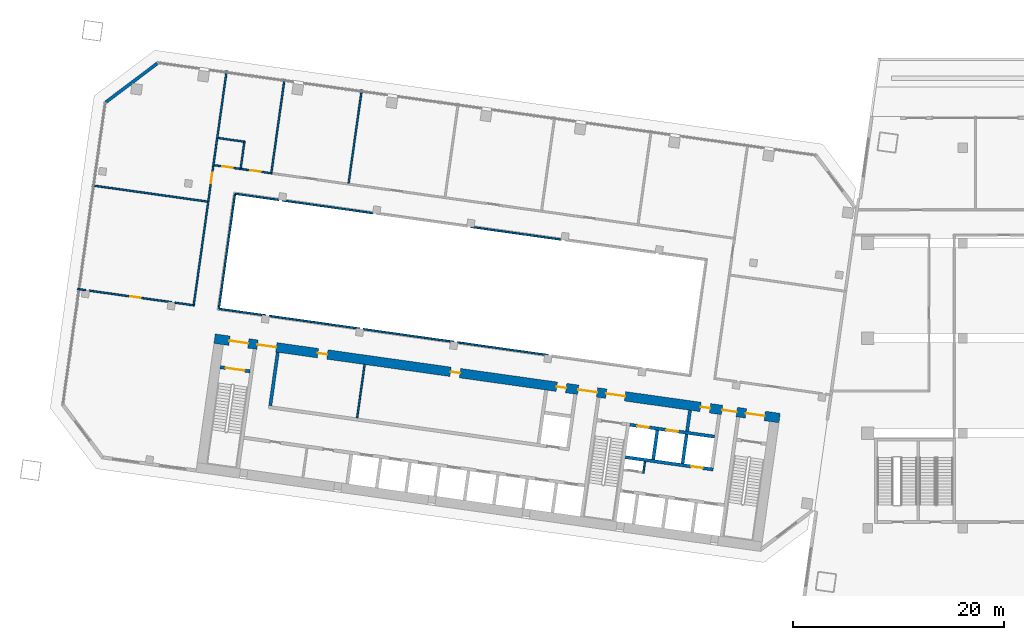
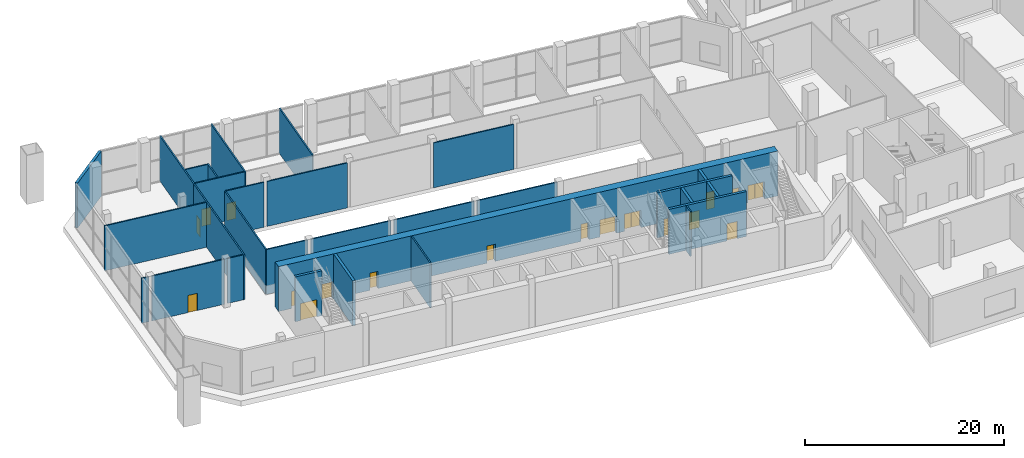
# One storey, part 10 of 24: 30 walls, 18 doors, 18 openings.
"""IFC4 building model written with IfcOpenShell, lengths in metres."""

from ifc_helpers import new_model, si_unit, direction, frame, frame_2d, origin, place, context, subcontext, project, spatial, rectangle, extrude, material, layer, layer_set, type_object, element, fill, save


model = new_model("IFC4")

# Units and contexts
model_context = context("Model", 3, precision=1e-05, world=origin(), true_north=direction((0.0, 1.0)))
body_context = subcontext(model_context, "Body", "Model", "MODEL_VIEW")
ifc_project = project(units=[si_unit("LENGTHUNIT", "METRE"), si_unit("AREAUNIT", "SQUARE_METRE"), si_unit("VOLUMEUNIT", "CUBIC_METRE"), si_unit("PLANEANGLEUNIT", "RADIAN"), si_unit("MASSUNIT", "GRAM", prefix="KILO")], contexts=[model_context])

# Site, building, storey
site_placement = place(None, origin())
site = spatial("IfcSite", under=ifc_project, at=site_placement, CompositionType="ELEMENT")
building_placement = place(site_placement, origin())
building = spatial("IfcBuilding", under=site, at=building_placement, Name="Mirante Cascada Hotel Towers", CompositionType="ELEMENT")
storey_placement = place(building_placement, frame((0.0, 0.0, 17.5)))
storey = spatial("IfcBuildingStorey", under=building, at=storey_placement, Name="L02", CompositionType="ELEMENT", Elevation=17.5)

# Walls
ifc_material_1 = material(Name="Masonry block", Category="masonry")
ifc_layer_1 = layer(ifc_material_1, 0.15)
ifc_layer_set_1 = layer_set([ifc_layer_1], Name="Core room partition 150 block EI 30")
wall_type_1 = type_object("IfcWallType", Name="Core room partition 150 block EI 30", PredefinedType="PARTITIONING", material=ifc_layer_set_1)
wall_1_placement = place(storey_placement, frame((-48.2295, -12.793, 0.0), z_axis=(0.0, 0.0, 1.0), x_axis=(0.1391935, 0.9902652, 0.0)))
element("IfcWall", 1, at=wall_1_placement, inside=storey, type_object=wall_type_1, Name="Core wall partition T1 L02 2", PredefinedType="PARTITIONING", context=body_context, shape_type="SweptSolid", body=[
    extrude(rectangle(XDim=1.1251, YDim=0.15, at=frame_2d((0.5626, 0.0))), origin(), (0.0, 0.0, 1.0), 5.5),
])
wall_2_placement = place(storey_placement, frame((-75.3131, -7.5476, 0.0), z_axis=(0.0, 0.0, 1.0), x_axis=(0.1391782, 0.9902673, 0.0)))
element("IfcWall", 2, at=wall_2_placement, inside=storey, type_object=wall_type_1, Name="Core wall partition T1 L02 5", PredefinedType="PARTITIONING", context=body_context, shape_type="SweptSolid", body=[
    extrude(rectangle(XDim=5.0999, YDim=0.15, at=frame_2d((2.55, 0.0))), origin(), (0.0, 0.0, 1.0), 5.5),
])
ifc_material_2 = material(Name="Masonry block", Category="masonry")
ifc_layer_2 = layer(ifc_material_2, 0.3)
ifc_layer_set_2 = layer_set([ifc_layer_2], Name="Core wall 300 block EI 120")
wall_type_2 = type_object("IfcWallType", Name="Core wall 300 block EI 120", PredefinedType="PARTITIONING", material=ifc_layer_set_2)
wall_3_placement = place(storey_placement, frame((-44.0843, -8.8061, 0.0), z_axis=(0.0, 0.0, 1.0), x_axis=(0.1391951, 0.990265, 0.0)))
element("IfcWall", 3, at=wall_3_placement, inside=storey, type_object=wall_type_2, Name="Core wall partition T1 L02 1", PredefinedType="PARTITIONING", context=body_context, shape_type="SweptSolid", body=[
    extrude(rectangle(XDim=2.0001, YDim=0.3, at=frame_2d((1.0001, 0.0))), origin(), (0.0, 0.0, 1.0), 5.5),
])
ifc_material_3 = material(Name="Masonry block", Category="masonry")
ifc_layer_3 = layer(ifc_material_3, 0.15)
ifc_layer_set_3 = layer_set([ifc_layer_3], Name="Corridor wall 150 block")
wall_type_3 = type_object("IfcWallType", Name="Corridor wall 150 block", PredefinedType="PARTITIONING", material=ifc_layer_set_3)
wall_4_placement = place(storey_placement, frame((-101.7725, 4.6536, 0.0), z_axis=(0.0, 0.0, 1.0), x_axis=(0.9902566, -0.1392548, 0.0)))
element("IfcWall", 4, at=wall_4_placement, inside=storey, type_object=wall_type_3, Name="Corridor wall T1 L02", PredefinedType="PARTITIONING", context=body_context, shape_type="SweptSolid", body=[
    extrude(rectangle(XDim=0.7756, YDim=0.15, at=frame_2d((0.3878, 0.0))), origin(), (0.0, 0.0, 1.0), 5.5),
])
wall_5_placement = place(storey_placement, frame((-88.3742, 2.7705, 0.0), z_axis=(0.0, 0.0, 1.0), x_axis=(0.9902682, -0.1391725, 0.0)))
element("IfcWall", 5, at=wall_5_placement, inside=storey, type_object=wall_type_3, Name="Corridor wall T1 L02", PredefinedType="PARTITIONING", context=body_context, shape_type="SweptSolid", body=[
    extrude(rectangle(XDim=4.4456, YDim=0.15, at=frame_2d((2.2228, 0.0))), origin(), (0.0, 0.0, 1.0), 5.5),
])
wall_6_placement = place(storey_placement, frame((-86.8433, 13.6635, 0.0), z_axis=(0.0, 0.0, 1.0), x_axis=(0.9902672, -0.1391794, 0.0)))
element("IfcWall", 6, at=wall_6_placement, inside=storey, type_object=wall_type_3, Name="Corridor wall T1 L02", PredefinedType="PARTITIONING", context=body_context, shape_type="SweptSolid", body=[
    extrude(rectangle(XDim=4.1658, YDim=0.15, at=frame_2d((2.0829, 0.0))), origin(), (0.0, 0.0, 1.0), 5.5),
])
wall_7_placement = place(storey_placement, frame((-88.3997, 2.8044, 0.0), z_axis=(0.0, 0.0, 1.0), x_axis=(0.1391764, 0.9902676, 0.0)))
element("IfcWall", 7, at=wall_7_placement, inside=storey, type_object=wall_type_3, Name="Corridor wall T1 L02", PredefinedType="PARTITIONING", context=body_context, shape_type="SweptSolid", body=[
    extrude(rectangle(XDim=10.9401, YDim=0.15, at=frame_2d((5.47, 0.0))), origin(), (0.0, 0.0, 1.0), 5.5),
])

# Wall, opening, door
wall_8_placement = place(storey_placement, frame((-90.791, 3.0345, 0.0), z_axis=(0.0, 0.0, 1.0), x_axis=(0.1391789, 0.9902673, 0.0)))
wall_8 = element("IfcWall", 8, at=wall_8_placement, inside=storey, type_object=wall_type_3, Name="Corridor wall T1 L02", PredefinedType="PARTITIONING", context=body_context, shape_type="SweptSolid", body=[
    extrude(rectangle(XDim=13.4, YDim=0.15, at=frame_2d((6.7, 0.0))), origin(), (0.0, 0.0, 1.0), 5.5),
])
opening_1_placement = place(wall_8_placement, frame((11.7325, 0.0, 0.0)))
opening_1 = element("IfcOpeningElement", 9, at=opening_1_placement, cuts=wall_8, Name="Opening DP1-L02-04", PredefinedType="OPENING", context=body_context, shape_type="SweptSolid", body=[
    extrude(rectangle(XDim=1.0, YDim=2.1, at=frame_2d((0.5, 1.05))), frame((0.0, 0.075, 0.0), z_axis=(0.0, -1.0, 0.0), x_axis=(1.0, 0.0, 0.0)), (0.0, 0.0, 1.0), 0.15),
])
ifc_material_4 = material(Name="Timber door leaf", Category="wood")
door_type_1 = type_object("IfcDoorType", Name="Single door 1000x2100", OperationType="NOTDEFINED", PredefinedType="DOOR", material=ifc_material_4)
door_1_placement = place(opening_1_placement, origin())
door_1 = element("IfcDoor", 10, at=door_1_placement, inside=storey, type_object=door_type_1, Name="Door DP1-L02-04", OperationType="SINGLE_SWING_RIGHT", OverallHeight=2.1, OverallWidth=1.0, PredefinedType="DOOR", context=body_context, shape_type="SweptSolid", body=[
    extrude(rectangle(XDim=1.0, YDim=2.1, at=frame_2d((0.5, 1.05))), frame((0.0, 0.025, 0.0), z_axis=(0.0, -1.0, 0.0), x_axis=(1.0, 0.0, 0.0)), (0.0, 0.0, 1.0), 0.05),
])
fill(opening_1, door_1)

wall_9_placement = place(storey_placement, frame((-100.679, 4.4999, 0.0), z_axis=(0.0, 0.0, 1.0), x_axis=(0.9902679, -0.1391746, 0.0)))
wall_9 = element("IfcWall", 11, at=wall_9_placement, inside=storey, type_object=wall_type_3, Name="Corridor wall T1 L02", PredefinedType="PARTITIONING", context=body_context, shape_type="SweptSolid", body=[
    extrude(rectangle(XDim=7.8714, YDim=0.15, at=frame_2d((3.9357, 0.0))), origin(), (0.0, 0.0, 1.0), 5.5),
])
opening_2_placement = place(wall_9_placement, frame((3.9133, 0.0, 0.0)))
opening_2 = element("IfcOpeningElement", 12, at=opening_2_placement, cuts=wall_9, Name="Opening DP1-L02-03", PredefinedType="OPENING", context=body_context, shape_type="SweptSolid", body=[
    extrude(rectangle(XDim=1.0, YDim=2.1, at=frame_2d((0.5, 1.05))), frame((0.0, 0.075, 0.0), z_axis=(0.0, -1.0, 0.0), x_axis=(1.0, 0.0, 0.0)), (0.0, 0.0, 1.0), 0.15),
])
door_2_placement = place(opening_2_placement, frame((1.0, 0.0, 0.0), z_axis=(0.0, 0.0, 1.0), x_axis=(-1.0, 0.0, 0.0)))
door_2 = element("IfcDoor", 13, at=door_2_placement, inside=storey, type_object=door_type_1, Name="Door DP1-L02-03", OperationType="SINGLE_SWING_LEFT", OverallHeight=2.1, OverallWidth=1.0, PredefinedType="DOOR", context=body_context, shape_type="SweptSolid", body=[
    extrude(rectangle(XDim=1.0, YDim=2.1, at=frame_2d((0.5, 1.05))), frame((0.0, 0.025, 0.0), z_axis=(0.0, -1.0, 0.0), x_axis=(1.0, 0.0, 0.0)), (0.0, 0.0, 1.0), 0.05),
])
fill(opening_2, door_2)

# Walls
wall_10_placement = place(storey_placement, frame((-92.5588, 3.3587, 0.0), z_axis=(0.0, 0.0, 1.0), x_axis=(0.9902659, -0.1391884, 0.0)))
element("IfcWall", 14, at=wall_10_placement, inside=storey, type_object=wall_type_3, Name="Corridor wall T1 L02", PredefinedType="PARTITIONING", context=body_context, shape_type="SweptSolid", body=[
    extrude(rectangle(XDim=1.7307, YDim=0.15, at=frame_2d((0.8654, 0.0))), origin(), (0.0, 0.0, 1.0), 5.5),
])
for number, where, z_axis, x_axis, name in (
    (15, (-83.6464, 2.1061, 0.0), (0.0, 0.0, 1.0), (0.9902682, -0.139172, 0.0), "Corridor wall T1 L02"),
    (16, (-74.734, 0.8535, 0.0), (0.0, 0.0, 1.0), (0.9902682, -0.139172, 0.0), "Corridor wall T1 L02"),
    (17, (-65.8216, -0.399, 0.0), (0.0, 0.0, 1.0), (0.9902682, -0.139172, 0.0), "Corridor wall T1 L02"),
    (18, (-82.3925, 13.038, 0.0), (0.0, 0.0, 1.0), (0.9902682, -0.139172, 0.0), "Corridor wall T1 L02"),
    (19, (-64.5677, 10.5329, 0.0), (0.0, 0.0, 1.0), (0.9902682, -0.139172, 0.0), "Corridor wall T1 L02"),
):
    element("IfcWall", number, at=place(storey_placement, frame(where, z_axis=z_axis, x_axis=x_axis)), inside=storey, type_object=wall_type_3, Name=name, PredefinedType="PARTITIONING", context=body_context, shape_type="SweptSolid", body=[
        extrude(rectangle(XDim=8.6713, YDim=0.15, at=frame_2d((4.3356, 0.0))), origin(), (0.0, 0.0, 1.0), 5.5),
    ])
ifc_material_5 = material(Name="Masonry block", Category="masonry")
ifc_layer_4 = layer(ifc_material_5, 0.15)
ifc_layer_set_4 = layer_set([ifc_layer_4], Name="Partition 150 block")
wall_type_4 = type_object("IfcWallType", Name="Partition 150 block", PredefinedType="PARTITIONING", material=ifc_layer_set_4)
wall_11_placement = place(storey_placement, frame((-100.3947, 14.4572, 0.0), z_axis=(0.0, 0.0, 1.0), x_axis=(0.9902679, -0.1391746, 0.0)))
element("IfcWall", 20, at=wall_11_placement, inside=storey, type_object=wall_type_4, Name="Partition T1 L02", PredefinedType="PARTITIONING", context=body_context, shape_type="SweptSolid", body=[
    extrude(rectangle(XDim=11.025, YDim=0.15, at=frame_2d((5.5125, 0.0))), origin(), (0.0, 0.0, 1.0), 5.5),
])
wall_12_placement = place(storey_placement, frame((-76.1197, 14.6557, 0.0), z_axis=(0.0, 0.0, 1.0), x_axis=(0.13917, 0.9902685, 0.0)))
element("IfcWall", 21, at=wall_12_placement, inside=storey, type_object=wall_type_4, Name="Partition T1 L02", PredefinedType="PARTITIONING", context=body_context, shape_type="SweptSolid", body=[
    extrude(rectangle(XDim=8.9251, YDim=0.15, at=frame_2d((4.4626, 0.0))), origin(), (0.0, 0.0, 1.0), 5.5),
])
ifc_material_6 = material(Name="Precast concrete C40/50", Category="concrete")
ifc_layer_5 = layer(ifc_material_6, 0.3)
ifc_layer_set_5 = layer_set([ifc_layer_5], Name="Precast concrete C40/50 cladding wall 300")
wall_type_5 = type_object("IfcWallType", Name="Precast concrete C40/50 cladding wall 300", PredefinedType="STANDARD", material=ifc_layer_set_5)
wall_13_placement = place(storey_placement, frame((-99.0919, 22.3343, 0.0), z_axis=(0.0, 0.0, 1.0), x_axis=(0.7986362, 0.6018141, 0.0)))
element("IfcWall", 22, at=wall_13_placement, inside=storey, type_object=wall_type_5, Name="Corner cladding wall T1 L02 outer front", PredefinedType="STANDARD", context=body_context, shape_type="SweptSolid", body=[
    extrude(rectangle(XDim=6.1157, YDim=0.3, at=frame_2d((3.0578, 0.0))), origin(), (0.0, 0.0, 1.0), 5.5),
])

# Wall, opening, door
ifc_material_7 = material(Name="Concrete C50/60", Category="concrete")
ifc_layer_6 = layer(ifc_material_7, 0.3)
ifc_layer_set_6 = layer_set([ifc_layer_6], Name="RC core wall 300 C50/60")
wall_type_6 = type_object("IfcWallType", Name="RC core wall 300 C50/60", PredefinedType="SHEAR", material=ifc_layer_set_6)
wall_14_placement = place(storey_placement, frame((-85.4489, -3.1441, 0.0), z_axis=(0.0, 0.0, 1.0), x_axis=(-0.9902697, 0.1391613, 0.0)))
wall_14 = element("IfcWall", 23, at=wall_14_placement, inside=storey, type_object=wall_type_6, Name="Core wall T1:L02:11", PredefinedType="SHEAR", context=body_context, shape_type="SweptSolid", body=[
    extrude(rectangle(XDim=2.8499, YDim=0.3, at=frame_2d((1.425, 0.0))), origin(), (0.0, 0.0, 1.0), 5.5),
])
opening_3_placement = place(wall_14_placement, frame((0.525, 0.0, 0.0)))
opening_3 = element("IfcOpeningElement", 24, at=opening_3_placement, cuts=wall_14, Name="Opening D1-02-C20", PredefinedType="OPENING", context=body_context, shape_type="SweptSolid", body=[
    extrude(rectangle(XDim=1.8, YDim=2.1, at=frame_2d((0.9, 1.05))), frame((0.0, 0.15, 0.0), z_axis=(0.0, -1.0, 0.0), x_axis=(1.0, 0.0, 0.0)), (0.0, 0.0, 1.0), 0.3),
])
ifc_material_8 = material(Name="Hollow metal fire door leaf")
door_type_2 = type_object("IfcDoorType", Name="Double fire door 1800x2100 FD60", OperationType="DOUBLE_DOOR_SINGLE_SWING", PredefinedType="DOOR", material=ifc_material_8)
door_3_placement = place(opening_3_placement, origin())
door_3 = element("IfcDoor", 25, at=door_3_placement, inside=storey, type_object=door_type_2, Name="Stair door T1 L02 20", OperationType="DOUBLE_DOOR_SINGLE_SWING", OverallHeight=2.1, OverallWidth=1.8, PredefinedType="DOOR", context=body_context, shape_type="SweptSolid", body=[
    extrude(rectangle(XDim=0.895, YDim=2.1, at=frame_2d((0.4475, 1.05))), frame((0.0, 0.025, 0.0), z_axis=(0.0, -1.0, 0.0), x_axis=(1.0, 0.0, 0.0)), (0.0, 0.0, 1.0), 0.05),
    extrude(rectangle(XDim=0.895, YDim=2.1, at=frame_2d((1.3525, 1.05))), frame((0.0, 0.025, 0.0), z_axis=(0.0, -1.0, 0.0), x_axis=(1.0, 0.0, 0.0)), (0.0, 0.0, 1.0), 0.05),
])
fill(opening_3, door_3)

wall_15_placement = place(storey_placement, frame((-41.6153, -12.435, 0.0), z_axis=(0.0, 0.0, 1.0), x_axis=(-0.9902691, 0.139166, 0.0)))
wall_15 = element("IfcWall", 26, at=wall_15_placement, inside=storey, type_object=wall_type_6, Name="Core wall T1:L02:13", PredefinedType="SHEAR", context=body_context, shape_type="SweptSolid", body=[
    extrude(rectangle(XDim=8.4, YDim=0.3, at=frame_2d((4.2, 0.0))), origin(), (0.0, 0.0, 1.0), 5.5),
])
opening_4_placement = place(wall_15_placement, frame((1.0, 0.0, 0.0)))
opening_4 = element("IfcOpeningElement", 27, at=opening_4_placement, cuts=wall_15, Name="Opening LD", PredefinedType="OPENING", context=body_context, shape_type="SweptSolid", body=[
    extrude(rectangle(XDim=1.1, YDim=2.1, at=frame_2d((0.55, 1.05))), frame((0.0, 0.15, 0.0), z_axis=(0.0, -1.0, 0.0), x_axis=(1.0, 0.0, 0.0)), (0.0, 0.0, 1.0), 0.3),
])
ifc_material_9 = material(Name="Stainless steel", Category="steel")
door_type_3 = type_object("IfcDoorType", Name="Lift landing door 1100x2100 EI 120", OperationType="DOUBLE_DOOR_SLIDING", PredefinedType="DOOR", material=ifc_material_9)
door_4_placement = place(opening_4_placement, origin())
door_4 = element("IfcDoor", 28, at=door_4_placement, inside=storey, type_object=door_type_3, Name="Lift landing door HR1-4 L02", OperationType="DOUBLE_DOOR_SLIDING", OverallHeight=2.1, OverallWidth=1.1, PredefinedType="DOOR", context=body_context, shape_type="SweptSolid", body=[
    extrude(rectangle(XDim=0.545, YDim=2.1, at=frame_2d((0.2725, 1.05))), frame((0.0, 0.025, 0.0), z_axis=(0.0, -1.0, 0.0), x_axis=(1.0, 0.0, 0.0)), (0.0, 0.0, 1.0), 0.05),
    extrude(rectangle(XDim=0.545, YDim=2.1, at=frame_2d((0.8275, 1.05))), frame((0.0, 0.025, 0.0), z_axis=(0.0, -1.0, 0.0), x_axis=(1.0, 0.0, 0.0)), (0.0, 0.0, 1.0), 0.05),
])
fill(opening_4, door_4)

# Wall, openings, doors
wall_16_placement = place(storey_placement, frame((-41.481, -9.3234, 0.0), z_axis=(0.0, 0.0, 1.0), x_axis=(-0.9902679, 0.1391741, 0.0)))
wall_16 = element("IfcWall", 29, at=wall_16_placement, inside=storey, type_object=wall_type_6, Name="Core wall T1:L02:14", PredefinedType="SHEAR", context=body_context, shape_type="SweptSolid", body=[
    extrude(rectangle(XDim=8.0999, YDim=0.3, at=frame_2d((4.05, 0.0))), origin(), (0.0, 0.0, 1.0), 5.5),
])
opening_5_placement = place(wall_16_placement, frame((3.5, 0.0, 0.0)))
opening_5 = element("IfcOpeningElement", 30, at=opening_5_placement, cuts=wall_16, Name="Opening LD", PredefinedType="OPENING", context=body_context, shape_type="SweptSolid", body=[
    extrude(rectangle(XDim=1.1, YDim=2.1, at=frame_2d((0.55, 1.05))), frame((0.0, 0.15, 0.0), z_axis=(0.0, -1.0, 0.0), x_axis=(1.0, 0.0, 0.0)), (0.0, 0.0, 1.0), 0.3),
])
opening_6_placement = place(wall_16_placement, frame((6.3, 0.0, 0.0)))
opening_6 = element("IfcOpeningElement", 31, at=opening_6_placement, cuts=wall_16, Name="Opening LD", PredefinedType="OPENING", context=body_context, shape_type="SweptSolid", body=[
    extrude(rectangle(XDim=1.1, YDim=2.1, at=frame_2d((0.55, 1.05))), frame((0.0, 0.15, 0.0), z_axis=(0.0, -1.0, 0.0), x_axis=(1.0, 0.0, 0.0)), (0.0, 0.0, 1.0), 0.3),
])
door_5_placement = place(opening_5_placement, origin())
door_5 = element("IfcDoor", 32, at=door_5_placement, inside=storey, type_object=door_type_3, Name="Lift landing door FF1 L02", OperationType="DOUBLE_DOOR_SLIDING", OverallHeight=2.1, OverallWidth=1.1, PredefinedType="DOOR", context=body_context, shape_type="SweptSolid", body=[
    extrude(rectangle(XDim=0.545, YDim=2.1, at=frame_2d((0.2725, 1.05))), frame((0.0, 0.025, 0.0), z_axis=(0.0, -1.0, 0.0), x_axis=(1.0, 0.0, 0.0)), (0.0, 0.0, 1.0), 0.05),
    extrude(rectangle(XDim=0.545, YDim=2.1, at=frame_2d((0.8275, 1.05))), frame((0.0, 0.025, 0.0), z_axis=(0.0, -1.0, 0.0), x_axis=(1.0, 0.0, 0.0)), (0.0, 0.0, 1.0), 0.05),
])
fill(opening_5, door_5)
door_6_placement = place(opening_6_placement, origin())
door_6 = element("IfcDoor", 33, at=door_6_placement, inside=storey, type_object=door_type_3, Name="Lift landing door FF2 L02", OperationType="DOUBLE_DOOR_SLIDING", OverallHeight=2.1, OverallWidth=1.1, PredefinedType="DOOR", context=body_context, shape_type="SweptSolid", body=[
    extrude(rectangle(XDim=0.545, YDim=2.1, at=frame_2d((0.2725, 1.05))), frame((0.0, 0.025, 0.0), z_axis=(0.0, -1.0, 0.0), x_axis=(1.0, 0.0, 0.0)), (0.0, 0.0, 1.0), 0.05),
    extrude(rectangle(XDim=0.545, YDim=2.1, at=frame_2d((0.8275, 1.05))), frame((0.0, 0.025, 0.0), z_axis=(0.0, -1.0, 0.0), x_axis=(1.0, 0.0, 0.0)), (0.0, 0.0, 1.0), 0.05),
])
fill(opening_6, door_6)

# Walls
for number, where, z_axis, x_axis, name in (
    (34, (-44.5157, -11.8759, 0.0), (0.0, 0.0, 1.0), (0.139181, 0.990267, 0.0), "Core wall T1:L02:18"),
    (35, (-47.2885, -11.4862, 0.0), (0.0, 0.0, 1.0), (0.139181, 0.990267, 0.0), "Core wall T1:L02:19"),
):
    element("IfcWall", number, at=place(storey_placement, frame(where, z_axis=z_axis, x_axis=x_axis)), inside=storey, type_object=wall_type_6, Name=name, PredefinedType="SHEAR", context=body_context, shape_type="SweptSolid", body=[
        extrude(rectangle(XDim=2.8, YDim=0.3, at=frame_2d((1.4, 0.0))), origin(), (0.0, 0.0, 1.0), 5.5),
    ])
wall_17_placement = place(storey_placement, frame((-83.5323, -6.3925, 0.0), z_axis=(0.0, 0.0, 1.0), x_axis=(0.1391755, 0.9902677, 0.0)))
element("IfcWall", 36, at=wall_17_placement, inside=storey, type_object=wall_type_6, Name="Core wall T1:L02:36", PredefinedType="SHEAR", context=body_context, shape_type="SweptSolid", body=[
    extrude(rectangle(XDim=5.1, YDim=0.3, at=frame_2d((2.55, 0.0))), origin(), (0.0, 0.0, 1.0), 5.5),
])

# Wall, openings, doors
ifc_material_10 = material(Name="Concrete C50/60", Category="concrete")
ifc_layer_7 = layer(ifc_material_10, 0.9)
ifc_layer_set_7 = layer_set([ifc_layer_7], Name="RC core wall 900 C50/60")
wall_type_7 = type_object("IfcWallType", Name="RC core wall 900 C50/60", PredefinedType="SHEAR", material=ifc_layer_set_7)
wall_18_placement = place(storey_placement, frame((-35.326, -7.5629, 0.0), z_axis=(0.0, 0.0, 1.0), x_axis=(-0.9902679, 0.139174, 0.0)))
wall_18 = element("IfcWall", 37, at=wall_18_placement, inside=storey, type_object=wall_type_7, Name="Core wall T1:L02:2", PredefinedType="SHEAR", context=body_context, shape_type="SweptSolid", body=[
    extrude(rectangle(XDim=54.0, YDim=0.9, at=frame_2d((27.0, 0.0))), origin(), (0.0, 0.0, 1.0), 5.5),
])
opening_7_placement = place(wall_18_placement, frame((1.425, 0.0, 0.0)))
opening_7 = element("IfcOpeningElement", 38, at=opening_7_placement, cuts=wall_18, Name="Opening D1-02-C17", PredefinedType="OPENING", context=body_context, shape_type="SweptSolid", body=[
    extrude(rectangle(XDim=1.8, YDim=2.1, at=frame_2d((0.9, 1.05))), frame((0.0, 0.45, 0.0), z_axis=(0.0, -1.0, 0.0), x_axis=(1.0, 0.0, 0.0)), (0.0, 0.0, 1.0), 0.9),
])
opening_8_placement = place(wall_18_placement, frame((14.775, 0.0, 0.0)))
opening_8 = element("IfcOpeningElement", 39, at=opening_8_placement, cuts=wall_18, Name="Opening D1-02-C19", PredefinedType="OPENING", context=body_context, shape_type="SweptSolid", body=[
    extrude(rectangle(XDim=1.8, YDim=2.1, at=frame_2d((0.9, 1.05))), frame((0.0, 0.45, 0.0), z_axis=(0.0, -1.0, 0.0), x_axis=(1.0, 0.0, 0.0)), (0.0, 0.0, 1.0), 0.9),
])
opening_9_placement = place(wall_18_placement, frame((50.775, 0.0, 0.0)))
opening_9 = element("IfcOpeningElement", 40, at=opening_9_placement, cuts=wall_18, Name="Opening D1-02-C21", PredefinedType="OPENING", context=body_context, shape_type="SweptSolid", body=[
    extrude(rectangle(XDim=1.8, YDim=2.1, at=frame_2d((0.9, 1.05))), frame((0.0, 0.45, 0.0), z_axis=(0.0, -1.0, 0.0), x_axis=(1.0, 0.0, 0.0)), (0.0, 0.0, 1.0), 0.9),
])
opening_10_placement = place(wall_18_placement, frame((4.1, 0.0, 0.0)))
opening_10 = element("IfcOpeningElement", 41, at=opening_10_placement, cuts=wall_18, Name="Opening D1-02-C22", PredefinedType="OPENING", context=body_context, shape_type="SweptSolid", body=[
    extrude(rectangle(XDim=1.4, YDim=2.1, at=frame_2d((0.7, 1.05))), frame((0.0, 0.45, 0.0), z_axis=(0.0, -1.0, 0.0), x_axis=(1.0, 0.0, 0.0)), (0.0, 0.0, 1.0), 0.9),
])
opening_11_placement = place(wall_18_placement, frame((17.45, 0.0, 0.0)))
opening_11 = element("IfcOpeningElement", 42, at=opening_11_placement, cuts=wall_18, Name="Opening D1-02-C23", PredefinedType="OPENING", context=body_context, shape_type="SweptSolid", body=[
    extrude(rectangle(XDim=1.8, YDim=2.1, at=frame_2d((0.9, 1.05))), frame((0.0, 0.45, 0.0), z_axis=(0.0, -1.0, 0.0), x_axis=(1.0, 0.0, 0.0)), (0.0, 0.0, 1.0), 0.9),
])
opening_12_placement = place(wall_18_placement, frame((48.1, 0.0, 0.0)))
opening_12 = element("IfcOpeningElement", 43, at=opening_12_placement, cuts=wall_18, Name="Opening D1-02-C24", PredefinedType="OPENING", context=body_context, shape_type="SweptSolid", body=[
    extrude(rectangle(XDim=1.8, YDim=2.1, at=frame_2d((0.9, 1.05))), frame((0.0, 0.45, 0.0), z_axis=(0.0, -1.0, 0.0), x_axis=(1.0, 0.0, 0.0)), (0.0, 0.0, 1.0), 0.9),
])
opening_13_placement = place(wall_18_placement, frame((6.65, 0.0, 0.0)))
opening_13 = element("IfcOpeningElement", 44, at=opening_13_placement, cuts=wall_18, Name="Opening D1-02-C27", PredefinedType="OPENING", context=body_context, shape_type="SweptSolid", body=[
    extrude(rectangle(XDim=0.9, YDim=2.1, at=frame_2d((0.45, 1.05))), frame((0.0, 0.45, 0.0), z_axis=(0.0, -1.0, 0.0), x_axis=(1.0, 0.0, 0.0)), (0.0, 0.0, 1.0), 0.9),
])
opening_14_placement = place(wall_18_placement, frame((20.4, 0.0, 0.0)))
opening_14 = element("IfcOpeningElement", 45, at=opening_14_placement, cuts=wall_18, Name="Opening D1-02-C30", PredefinedType="OPENING", context=body_context, shape_type="SweptSolid", body=[
    extrude(rectangle(XDim=0.9, YDim=2.1, at=frame_2d((0.45, 1.05))), frame((0.0, 0.45, 0.0), z_axis=(0.0, -1.0, 0.0), x_axis=(1.0, 0.0, 0.0)), (0.0, 0.0, 1.0), 0.9),
])
opening_15_placement = place(wall_18_placement, frame((30.55, 0.0, 0.0)))
opening_15 = element("IfcOpeningElement", 46, at=opening_15_placement, cuts=wall_18, Name="Opening D1-02-C31", PredefinedType="OPENING", context=body_context, shape_type="SweptSolid", body=[
    extrude(rectangle(XDim=0.9, YDim=2.1, at=frame_2d((0.45, 1.05))), frame((0.0, 0.45, 0.0), z_axis=(0.0, -1.0, 0.0), x_axis=(1.0, 0.0, 0.0)), (0.0, 0.0, 1.0), 0.9),
])
opening_16_placement = place(wall_18_placement, frame((43.225, 0.0, 0.0)))
opening_16 = element("IfcOpeningElement", 47, at=opening_16_placement, cuts=wall_18, Name="Opening D1-02-C32", PredefinedType="OPENING", context=body_context, shape_type="SweptSolid", body=[
    extrude(rectangle(XDim=0.9, YDim=2.1, at=frame_2d((0.45, 1.05))), frame((0.0, 0.45, 0.0), z_axis=(0.0, -1.0, 0.0), x_axis=(1.0, 0.0, 0.0)), (0.0, 0.0, 1.0), 0.9),
])
ifc_material_11 = material(Name="Hollow metal fire door leaf")
door_type_4 = type_object("IfcDoorType", Name="Double fire door 1400x2100 FD60", OperationType="DOUBLE_DOOR_SINGLE_SWING", PredefinedType="DOOR", material=ifc_material_11)
door_7_placement = place(opening_10_placement, frame((1.4, 0.0, 0.0), z_axis=(0.0, 0.0, 1.0), x_axis=(-1.0, 0.0, 0.0)))
door_7 = element("IfcDoor", 48, at=door_7_placement, inside=storey, type_object=door_type_4, Name="Exit door to gallery T1 L02 22", OperationType="DOUBLE_DOOR_SINGLE_SWING", OverallHeight=2.1, OverallWidth=1.4, PredefinedType="DOOR", context=body_context, shape_type="SweptSolid", body=[
    extrude(rectangle(XDim=0.695, YDim=2.1, at=frame_2d((0.3475, 1.05))), frame((0.0, 0.025, 0.0), z_axis=(0.0, -1.0, 0.0), x_axis=(1.0, 0.0, 0.0)), (0.0, 0.0, 1.0), 0.05),
    extrude(rectangle(XDim=0.695, YDim=2.1, at=frame_2d((1.0525, 1.05))), frame((0.0, 0.025, 0.0), z_axis=(0.0, -1.0, 0.0), x_axis=(1.0, 0.0, 0.0)), (0.0, 0.0, 1.0), 0.05),
])
fill(opening_10, door_7)
door_8_placement = place(opening_7_placement, origin())
door_8 = element("IfcDoor", 49, at=door_8_placement, inside=storey, type_object=door_type_2, Name="Exit door to gallery T1 L02 17", OperationType="DOUBLE_DOOR_SINGLE_SWING", OverallHeight=2.1, OverallWidth=1.8, PredefinedType="DOOR", context=body_context, shape_type="SweptSolid", body=[
    extrude(rectangle(XDim=0.895, YDim=2.1, at=frame_2d((0.4475, 1.05))), frame((0.0, 0.025, 0.0), z_axis=(0.0, -1.0, 0.0), x_axis=(1.0, 0.0, 0.0)), (0.0, 0.0, 1.0), 0.05),
    extrude(rectangle(XDim=0.895, YDim=2.1, at=frame_2d((1.3525, 1.05))), frame((0.0, 0.025, 0.0), z_axis=(0.0, -1.0, 0.0), x_axis=(1.0, 0.0, 0.0)), (0.0, 0.0, 1.0), 0.05),
])
fill(opening_7, door_8)
door_9_placement = place(opening_8_placement, origin())
door_9 = element("IfcDoor", 50, at=door_9_placement, inside=storey, type_object=door_type_2, Name="Exit door to gallery T1 L02 19", OperationType="DOUBLE_DOOR_SINGLE_SWING", OverallHeight=2.1, OverallWidth=1.8, PredefinedType="DOOR", context=body_context, shape_type="SweptSolid", body=[
    extrude(rectangle(XDim=0.895, YDim=2.1, at=frame_2d((0.4475, 1.05))), frame((0.0, 0.025, 0.0), z_axis=(0.0, -1.0, 0.0), x_axis=(1.0, 0.0, 0.0)), (0.0, 0.0, 1.0), 0.05),
    extrude(rectangle(XDim=0.895, YDim=2.1, at=frame_2d((1.3525, 1.05))), frame((0.0, 0.025, 0.0), z_axis=(0.0, -1.0, 0.0), x_axis=(1.0, 0.0, 0.0)), (0.0, 0.0, 1.0), 0.05),
])
fill(opening_8, door_9)
door_10_placement = place(opening_9_placement, origin())
door_10 = element("IfcDoor", 51, at=door_10_placement, inside=storey, type_object=door_type_2, Name="Exit door to gallery T1 L02 21", OperationType="DOUBLE_DOOR_SINGLE_SWING", OverallHeight=2.1, OverallWidth=1.8, PredefinedType="DOOR", context=body_context, shape_type="SweptSolid", body=[
    extrude(rectangle(XDim=0.895, YDim=2.1, at=frame_2d((0.4475, 1.05))), frame((0.0, 0.025, 0.0), z_axis=(0.0, -1.0, 0.0), x_axis=(1.0, 0.0, 0.0)), (0.0, 0.0, 1.0), 0.05),
    extrude(rectangle(XDim=0.895, YDim=2.1, at=frame_2d((1.3525, 1.05))), frame((0.0, 0.025, 0.0), z_axis=(0.0, -1.0, 0.0), x_axis=(1.0, 0.0, 0.0)), (0.0, 0.0, 1.0), 0.05),
])
fill(opening_9, door_10)
door_11_placement = place(opening_11_placement, frame((1.8, 0.0, 0.0), z_axis=(0.0, 0.0, 1.0), x_axis=(-1.0, 0.0, 0.0)))
door_11 = element("IfcDoor", 52, at=door_11_placement, inside=storey, type_object=door_type_2, Name="Exit door to gallery T1 L02 23", OperationType="DOUBLE_DOOR_SINGLE_SWING", OverallHeight=2.1, OverallWidth=1.8, PredefinedType="DOOR", context=body_context, shape_type="SweptSolid", body=[
    extrude(rectangle(XDim=0.895, YDim=2.1, at=frame_2d((0.4475, 1.05))), frame((0.0, 0.025, 0.0), z_axis=(0.0, -1.0, 0.0), x_axis=(1.0, 0.0, 0.0)), (0.0, 0.0, 1.0), 0.05),
    extrude(rectangle(XDim=0.895, YDim=2.1, at=frame_2d((1.3525, 1.05))), frame((0.0, 0.025, 0.0), z_axis=(0.0, -1.0, 0.0), x_axis=(1.0, 0.0, 0.0)), (0.0, 0.0, 1.0), 0.05),
])
fill(opening_11, door_11)
door_12_placement = place(opening_12_placement, frame((1.8, 0.0, 0.0), z_axis=(0.0, 0.0, 1.0), x_axis=(-1.0, 0.0, 0.0)))
door_12 = element("IfcDoor", 53, at=door_12_placement, inside=storey, type_object=door_type_2, Name="Exit door to gallery T1 L02 24", OperationType="DOUBLE_DOOR_SINGLE_SWING", OverallHeight=2.1, OverallWidth=1.8, PredefinedType="DOOR", context=body_context, shape_type="SweptSolid", body=[
    extrude(rectangle(XDim=0.895, YDim=2.1, at=frame_2d((0.4475, 1.05))), frame((0.0, 0.025, 0.0), z_axis=(0.0, -1.0, 0.0), x_axis=(1.0, 0.0, 0.0)), (0.0, 0.0, 1.0), 0.05),
    extrude(rectangle(XDim=0.895, YDim=2.1, at=frame_2d((1.3525, 1.05))), frame((0.0, 0.025, 0.0), z_axis=(0.0, -1.0, 0.0), x_axis=(1.0, 0.0, 0.0)), (0.0, 0.0, 1.0), 0.05),
])
fill(opening_12, door_12)
ifc_material_12 = material(Name="Hollow metal fire door leaf")
door_type_5 = type_object("IfcDoorType", Name="Fire door 900x2100 FD60", OperationType="NOTDEFINED", PredefinedType="DOOR", material=ifc_material_12)
door_13_placement = place(opening_13_placement, origin())
door_13 = element("IfcDoor", 54, at=door_13_placement, inside=storey, type_object=door_type_5, Name="Room door T1 L02 27", OperationType="SINGLE_SWING_RIGHT", OverallHeight=2.1, OverallWidth=0.9, PredefinedType="DOOR", context=body_context, shape_type="SweptSolid", body=[
    extrude(rectangle(XDim=0.9, YDim=2.1, at=frame_2d((0.45, 1.05))), frame((0.0, 0.025, 0.0), z_axis=(0.0, -1.0, 0.0), x_axis=(1.0, 0.0, 0.0)), (0.0, 0.0, 1.0), 0.05),
])
fill(opening_13, door_13)
door_14_placement = place(opening_14_placement, origin())
door_14 = element("IfcDoor", 55, at=door_14_placement, inside=storey, type_object=door_type_5, Name="Room door T1 L02 30", OperationType="SINGLE_SWING_RIGHT", OverallHeight=2.1, OverallWidth=0.9, PredefinedType="DOOR", context=body_context, shape_type="SweptSolid", body=[
    extrude(rectangle(XDim=0.9, YDim=2.1, at=frame_2d((0.45, 1.05))), frame((0.0, 0.025, 0.0), z_axis=(0.0, -1.0, 0.0), x_axis=(1.0, 0.0, 0.0)), (0.0, 0.0, 1.0), 0.05),
])
fill(opening_14, door_14)
door_15_placement = place(opening_15_placement, origin())
door_15 = element("IfcDoor", 56, at=door_15_placement, inside=storey, type_object=door_type_5, Name="Room door T1 L02 31", OperationType="SINGLE_SWING_LEFT", OverallHeight=2.1, OverallWidth=0.9, PredefinedType="DOOR", context=body_context, shape_type="SweptSolid", body=[
    extrude(rectangle(XDim=0.9, YDim=2.1, at=frame_2d((0.45, 1.05))), frame((0.0, 0.025, 0.0), z_axis=(0.0, -1.0, 0.0), x_axis=(1.0, 0.0, 0.0)), (0.0, 0.0, 1.0), 0.05),
])
fill(opening_15, door_15)
door_16_placement = place(opening_16_placement, origin())
door_16 = element("IfcDoor", 57, at=door_16_placement, inside=storey, type_object=door_type_5, Name="Room door T1 L02 32", OperationType="SINGLE_SWING_LEFT", OverallHeight=2.1, OverallWidth=0.9, PredefinedType="DOOR", context=body_context, shape_type="SweptSolid", body=[
    extrude(rectangle(XDim=0.9, YDim=2.1, at=frame_2d((0.45, 1.05))), frame((0.0, 0.025, 0.0), z_axis=(0.0, -1.0, 0.0), x_axis=(1.0, 0.0, 0.0)), (0.0, 0.0, 1.0), 0.05),
])
fill(opening_16, door_16)

ifc_material_13 = material(Name="Masonry block", Category="masonry")
ifc_layer_8 = layer(ifc_material_13, 0.15)
ifc_layer_set_8 = layer_set([ifc_layer_8], Name="Wet room wall 150 block")
wall_type_8 = type_object("IfcWallType", Name="Wet room wall 150 block", PredefinedType="PARTITIONING", material=ifc_layer_set_8)
wall_19_placement = place(storey_placement, frame((-88.8413, 16.3679, 0.0), z_axis=(0.0, 0.0, 1.0), x_axis=(0.9902681, -0.139173, 0.0)))
wall_19 = element("IfcWall", 58, at=wall_19_placement, inside=storey, type_object=wall_type_8, Name="Wet room wall T1 L02", PredefinedType="PARTITIONING", context=body_context, shape_type="SweptSolid", body=[
    extrude(rectangle(XDim=5.3933, YDim=0.15, at=frame_2d((2.6966, 0.0))), origin(), (0.0, 0.0, 1.0), 5.5),
])
opening_17_placement = place(wall_19_placement, frame((3.4591, 0.0, 0.0)))
opening_17 = element("IfcOpeningElement", 59, at=opening_17_placement, cuts=wall_19, Name="Opening DP1-L02-10", PredefinedType="OPENING", context=body_context, shape_type="SweptSolid", body=[
    extrude(rectangle(XDim=1.0, YDim=2.1, at=frame_2d((0.5, 1.05))), frame((0.0, 0.075, 0.0), z_axis=(0.0, -1.0, 0.0), x_axis=(1.0, 0.0, 0.0)), (0.0, 0.0, 1.0), 0.15),
])
opening_18_placement = place(wall_19_placement, frame((0.7625, 0.0, 0.0)))
opening_18 = element("IfcOpeningElement", 60, at=opening_18_placement, cuts=wall_19, Name="Opening DP1-L02-11", PredefinedType="OPENING", context=body_context, shape_type="SweptSolid", body=[
    extrude(rectangle(XDim=1.0, YDim=2.1, at=frame_2d((0.5, 1.05))), frame((0.0, 0.075, 0.0), z_axis=(0.0, -1.0, 0.0), x_axis=(1.0, 0.0, 0.0)), (0.0, 0.0, 1.0), 0.15),
])
door_17_placement = place(opening_17_placement, origin())
door_17 = element("IfcDoor", 61, at=door_17_placement, inside=storey, type_object=door_type_1, Name="Door DP1-L02-10", OperationType="SINGLE_SWING_RIGHT", OverallHeight=2.1, OverallWidth=1.0, PredefinedType="DOOR", context=body_context, shape_type="SweptSolid", body=[
    extrude(rectangle(XDim=1.0, YDim=2.1, at=frame_2d((0.5, 1.05))), frame((0.0, 0.025, 0.0), z_axis=(0.0, -1.0, 0.0), x_axis=(1.0, 0.0, 0.0)), (0.0, 0.0, 1.0), 0.05),
])
fill(opening_17, door_17)
door_18_placement = place(opening_18_placement, origin())
door_18 = element("IfcDoor", 62, at=door_18_placement, inside=storey, type_object=door_type_1, Name="Door DP1-L02-11", OperationType="SINGLE_SWING_LEFT", OverallHeight=2.1, OverallWidth=1.0, PredefinedType="DOOR", context=body_context, shape_type="SweptSolid", body=[
    extrude(rectangle(XDim=1.0, YDim=2.1, at=frame_2d((0.5, 1.05))), frame((0.0, 0.025, 0.0), z_axis=(0.0, -1.0, 0.0), x_axis=(1.0, 0.0, 0.0)), (0.0, 0.0, 1.0), 0.05),
])
fill(opening_18, door_18)

# Walls
wall_20_placement = place(storey_placement, frame((-88.4795, 18.9426, 0.0), z_axis=(0.0, 0.0, 1.0), x_axis=(0.990267, -0.139181, 0.0)))
element("IfcWall", 63, at=wall_20_placement, inside=storey, type_object=wall_type_8, Name="Wet room wall T1 L02", PredefinedType="PARTITIONING", context=body_context, shape_type="SweptSolid", body=[
    extrude(rectangle(XDim=2.45, YDim=0.15, at=frame_2d((1.225, 0.0))), origin(), (0.0, 0.0, 1.0), 5.5),
])
wall_21_placement = place(storey_placement, frame((-83.4465, 15.534, 0.0), z_axis=(0.0, 0.0, 1.0), x_axis=(0.139164, 0.9902693, 0.0)))
element("IfcWall", 64, at=wall_21_placement, inside=storey, type_object=wall_type_8, Name="Wet room wall T1 L02", PredefinedType="PARTITIONING", context=body_context, shape_type="SweptSolid", body=[
    extrude(rectangle(XDim=9.0749, YDim=0.15, at=frame_2d((4.5374, 0.0))), origin(), (0.0, 0.0, 1.0), 5.5),
])
wall_22_placement = place(storey_placement, frame((-86.3305, 16.0907, 0.0), z_axis=(0.0, 0.0, 1.0), x_axis=(0.1391918, 0.9902654, 0.0)))
element("IfcWall", 65, at=wall_22_placement, inside=storey, type_object=wall_type_8, Name="Wet room wall T1 L02", PredefinedType="PARTITIONING", context=body_context, shape_type="SweptSolid", body=[
    extrude(rectangle(XDim=2.6, YDim=0.15, at=frame_2d((1.3, 0.0))), origin(), (0.0, 0.0, 1.0), 5.5),
])
wall_23_placement = place(storey_placement, frame((-88.9274, 16.2941, 0.0), z_axis=(0.0, 0.0, 1.0), x_axis=(0.1391742, 0.9902679, 0.0)))
element("IfcWall", 66, at=wall_23_placement, inside=storey, type_object=wall_type_8, Name="Wet room wall T1 L02", PredefinedType="PARTITIONING", context=body_context, shape_type="SweptSolid", body=[
    extrude(rectangle(XDim=9.085, YDim=0.15, at=frame_2d((4.5425, 0.0))), origin(), (0.0, 0.0, 1.0), 5.5),
])

save(model, "model.ifc")
